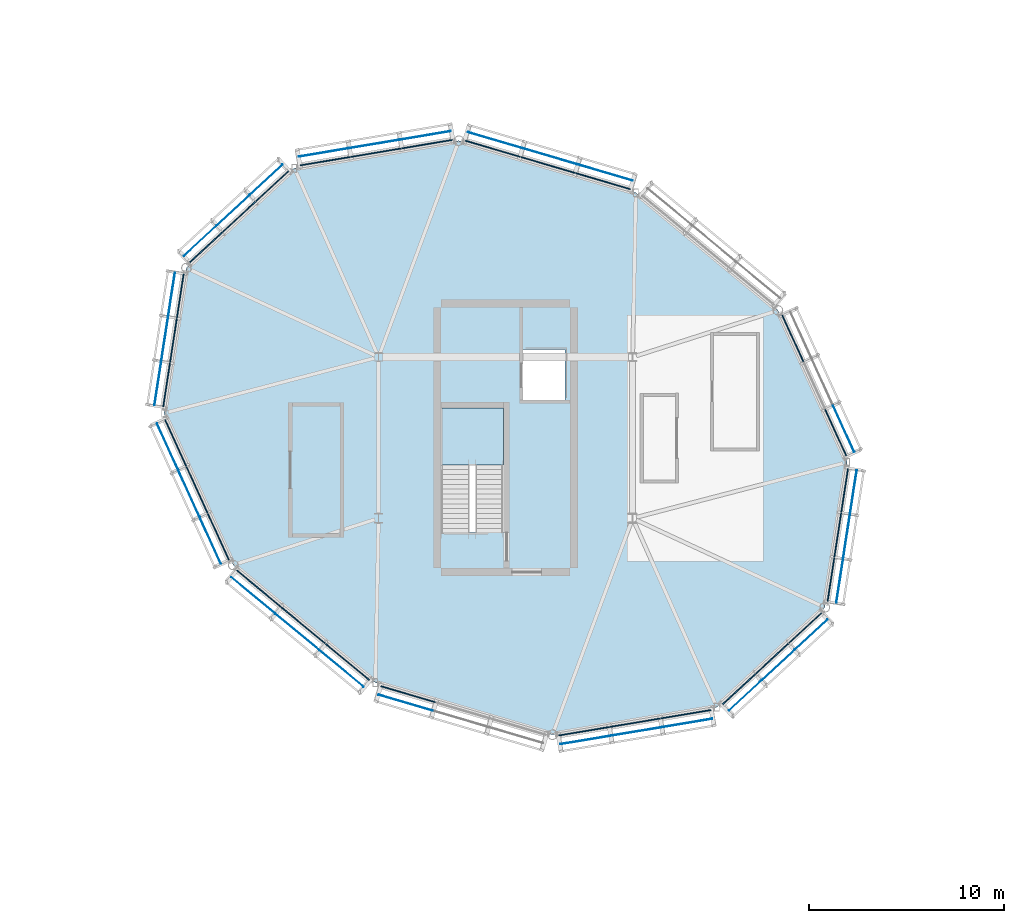
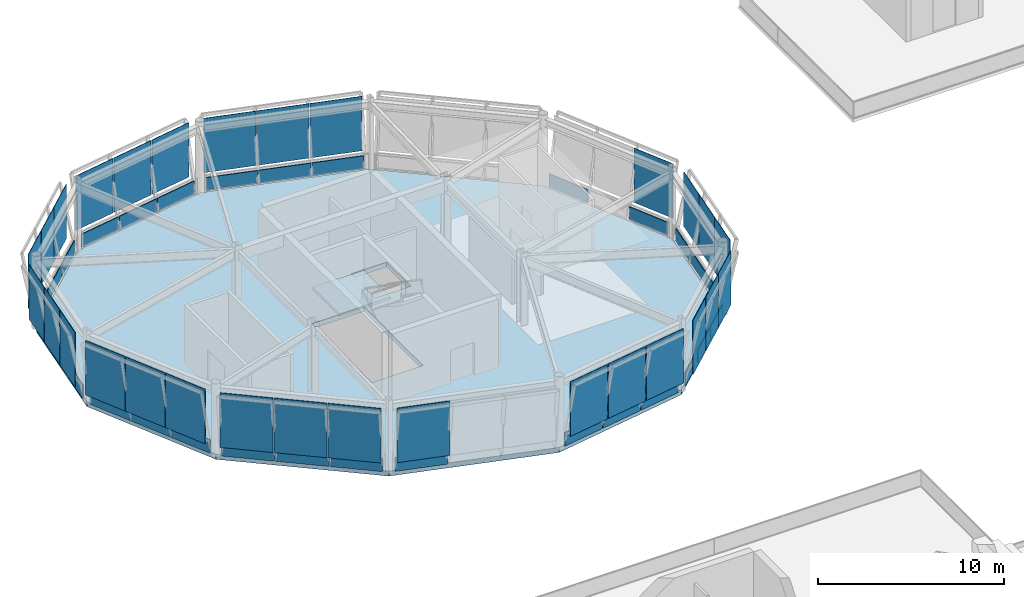
# One storey, part 62 of 94: 59 plates, 2 slabs, 12 elements without a shape of their own.
"""IFC4 building model written with IfcOpenShell, lengths in metres."""

from ifc_helpers import new_model, si_unit, direction, frame, origin, origin_2d, place, context, subcontext, project, spatial, polyline, rectangle, outline, extrude, material, layer, layer_set, type_object, element, aggregate, save


model = new_model("IFC4")

# Units and contexts
model_context = context("Model", 3, precision=1e-05, world=origin(), true_north=direction((0.0, 1.0)))
body_context = subcontext(model_context, "Body", "Model", "MODEL_VIEW")
ifc_project = project(units=[si_unit("LENGTHUNIT", "METRE"), si_unit("AREAUNIT", "SQUARE_METRE"), si_unit("VOLUMEUNIT", "CUBIC_METRE"), si_unit("PLANEANGLEUNIT", "RADIAN"), si_unit("MASSUNIT", "GRAM", prefix="KILO")], contexts=[model_context])

# Site, building, storey
site_placement = place(None, origin())
site = spatial("IfcSite", under=ifc_project, at=site_placement, CompositionType="ELEMENT")
building_placement = place(site_placement, origin())
building = spatial("IfcBuilding", under=site, at=building_placement, Name="Linyun Crest Stadium", CompositionType="ELEMENT")
storey_placement = place(building_placement, frame((0.0, 0.0, 16.199951171875)))
storey = spatial("IfcBuildingStorey", under=building, at=storey_placement, Name="L04", CompositionType="ELEMENT", Elevation=16.199951171875)

# Slab
ifc_material_1 = material(Name="Concrete C40", Category="concrete")
ifc_layer_1 = layer(ifc_material_1, 0.320068359375)
ifc_layer_set_1 = layer_set([ifc_layer_1], Name="Concrete C40")
slab_type_1 = type_object("IfcSlabType", Name="FS06", PredefinedType="FLOOR", material=ifc_layer_set_1)
slab_1_placement = place(storey_placement, frame((0.0, 0.0, -0.320068359375)))
element("IfcSlab", 1, at=slab_1_placement, inside=storey, type_object=slab_type_1, Name="Slab FS06 V5 L04 50", PredefinedType="FLOOR", context=body_context, shape_type="SweptSolid", body=[
    extrude(outline(polyline([(-57.1650390625, 75.93994140625), (-56.02099609375, 83.3720703125), (-59.55908203125, 91.139892578125), (-66.833984375, 97.1630859375), (-75.89404296875, 99.825927734375), (-84.31298828125, 98.416015625), (-89.8349609375, 93.31005859375), (-90.97900390625, 85.8779296875), (-87.44091796875, 78.110107421875), (-80.166015625, 72.0869140625), (-71.10595703125, 69.424072265625), (-62.68701171875, 70.833984375), (-57.1650390625, 75.93994140625)]), holes=[polyline([(-76.800048828125, 79.77001953125), (-76.800048828125, 86.14990234375), (-73.60009765625, 86.14990234375), (-73.60009765625, 79.77001953125), (-76.800048828125, 79.77001953125)]), polyline([(-72.64990234375, 86.550048828125), (-72.64990234375, 89.14990234375), (-70.449951171875, 89.14990234375), (-70.449951171875, 86.550048828125), (-72.64990234375, 86.550048828125)])]), origin(), (0.0, 0.0, 1.0), 0.320068359375),
])

# Curtain wall, plates
ifc_material_2 = material(Name="Verdigris steel and low-E curtain wall assembly", Category="steel")
curtain_wall_type = type_object("IfcCurtainWallType", Name="MCW04", PredefinedType="NOTDEFINED", material=ifc_material_2)
curtain_wall_1_placement = place(storey_placement, origin())
curtain_wall_1 = element("IfcCurtainWall", 2, at=curtain_wall_1_placement, inside=storey, type_object=curtain_wall_type, Name="CWR-001", PredefinedType="NOTDEFINED")
ifc_material_3 = material(Name="Acoustic laminated low-E broadcast glass", Category="glass")
ifc_layer_2 = layer(ifc_material_3, 0.030029296875)
ifc_layer_set_2 = layer_set([ifc_layer_2], Name="Acoustic laminated low-E broadcast glass")
plate_type_1 = type_object("IfcPlateType", Name="GP02", PredefinedType="CURTAIN_PANEL", material=ifc_layer_set_2)
plate_1_placement = place(storey_placement, frame((-56.405029296875, 77.2939453125, 0.888427734375), z_axis=(0.0, 0.0, 1.0), x_axis=(0.152054385169, 0.988372128275, 0.0)))
plate_1 = element("IfcPlate", 3, at=plate_1_placement, type_object=plate_type_1, Name="CWR-001 panel 1.2", PredefinedType="CURTAIN_PANEL", context=body_context, shape_type="SweptSolid", body=[
    extrude(rectangle(XDim=2.256103515625, YDim=0.030029296875, at=origin_2d()), origin(), (0.0, 0.0, 1.0), 3.5830078125),
])
plate_2_placement = place(storey_placement, frame((-56.053955078125, 79.572998046875, 0.888427734375), z_axis=(0.0, 0.0, 1.0), x_axis=(0.152054385169, 0.988372128275, 0.0)))
plate_2 = element("IfcPlate", 4, at=plate_2_placement, type_object=plate_type_1, Name="CWR-001 panel 2.2", PredefinedType="CURTAIN_PANEL", context=body_context, shape_type="SweptSolid", body=[
    extrude(rectangle(XDim=2.256103515625, YDim=0.030029296875, at=origin_2d()), origin(), (0.0, 0.0, 1.0), 3.5830078125),
])
plate_3_placement = place(storey_placement, frame((-55.702880859375, 81.85205078125, 0.888427734375), z_axis=(0.0, 0.0, 1.0), x_axis=(0.152054385169, 0.988372128275, 0.0)))
plate_3 = element("IfcPlate", 5, at=plate_3_placement, type_object=plate_type_1, Name="CWR-001 panel 3.2", PredefinedType="CURTAIN_PANEL", context=body_context, shape_type="SweptSolid", body=[
    extrude(rectangle(XDim=2.256103515625, YDim=0.030029296875, at=origin_2d()), origin(), (0.0, 0.0, 1.0), 3.5830078125),
])

# Curtain wall, plate
curtain_wall_2_placement = place(storey_placement, origin())
curtain_wall_2 = element("IfcCurtainWall", 6, at=curtain_wall_2_placement, inside=storey, type_object=curtain_wall_type, Name="CWR-002", PredefinedType="NOTDEFINED")
plate_4_placement = place(storey_placement, frame((-56.197021484375, 85.074951171875, 0.888427734375), z_axis=(0.0, 0.0, 1.0), x_axis=(-0.414566184052, 0.910019164106, 0.0)))
plate_4 = element("IfcPlate", 7, at=plate_4_placement, type_object=plate_type_1, Name="CWR-002 panel 1.2", PredefinedType="CURTAIN_PANEL", context=body_context, shape_type="SweptSolid", body=[
    extrude(rectangle(XDim=2.595458984375, YDim=0.030029296875, at=origin_2d()), origin(), (0.0, 0.0, 1.0), 3.5830078125),
])

# Curtain wall, plates
curtain_wall_3_placement = place(storey_placement, origin())
curtain_wall_3 = element("IfcCurtainWall", 8, at=curtain_wall_3_placement, inside=storey, type_object=curtain_wall_type, Name="CWR-004", PredefinedType="NOTDEFINED")
plate_5_placement = place(storey_placement, frame((-68.382080078125, 98.18701171875, 0.888427734375), z_axis=(0.0, 0.0, 1.0), x_axis=(-0.959437077917, 0.281922850294, 0.0)))
plate_5 = element("IfcPlate", 9, at=plate_5_placement, type_object=plate_type_1, Name="CWR-004 panel 1.2", PredefinedType="CURTAIN_PANEL", context=body_context, shape_type="SweptSolid", body=[
    extrude(rectangle(XDim=2.897705078125, YDim=0.030029296875, at=origin_2d()), origin(), (0.0, 0.0, 1.0), 3.5830078125),
])
plate_6_placement = place(storey_placement, frame((-71.2099609375, 99.01806640625, 0.888427734375), z_axis=(0.0, 0.0, 1.0), x_axis=(-0.959437077917, 0.281922850294, 0.0)))
plate_6 = element("IfcPlate", 10, at=plate_6_placement, type_object=plate_type_1, Name="CWR-004 panel 2.2", PredefinedType="CURTAIN_PANEL", context=body_context, shape_type="SweptSolid", body=[
    extrude(rectangle(XDim=2.897705078125, YDim=0.030029296875, at=origin_2d()), origin(), (0.0, 0.0, 1.0), 3.5830078125),
])
plate_7_placement = place(storey_placement, frame((-74.0380859375, 99.84912109375, 0.888427734375), z_axis=(0.0, 0.0, 1.0), x_axis=(-0.959437077917, 0.281922850294, 0.0)))
plate_7 = element("IfcPlate", 11, at=plate_7_placement, type_object=plate_type_1, Name="CWR-004 panel 3.2", PredefinedType="CURTAIN_PANEL", context=body_context, shape_type="SweptSolid", body=[
    extrude(rectangle(XDim=2.897705078125, YDim=0.030029296875, at=origin_2d()), origin(), (0.0, 0.0, 1.0), 3.5830078125),
])

curtain_wall_4_placement = place(storey_placement, origin())
curtain_wall_4 = element("IfcCurtainWall", 12, at=curtain_wall_4_placement, inside=storey, type_object=curtain_wall_type, Name="CWR-005", PredefinedType="NOTDEFINED")
plate_8_placement = place(storey_placement, frame((-77.5849609375, 100.094970703125, 0.888427734375), z_axis=(0.0, 0.0, 1.0), x_axis=(-0.986282720763, -0.165064819767, 0.0)))
plate_8 = element("IfcPlate", 13, at=plate_8_placement, type_object=plate_type_1, Name="CWR-005 panel 1.2", PredefinedType="CURTAIN_PANEL", context=body_context, shape_type="SweptSolid", body=[
    extrude(rectangle(XDim=2.59521484375, YDim=0.030029296875, at=origin_2d()), origin(), (0.0, 0.0, 1.0), 3.5830078125),
])
plate_9_placement = place(storey_placement, frame((-80.194091796875, 99.658935546875, 0.888427734375), z_axis=(0.0, 0.0, 1.0), x_axis=(-0.986282720763, -0.165064819767, 0.0)))
plate_9 = element("IfcPlate", 14, at=plate_9_placement, type_object=plate_type_1, Name="CWR-005 panel 2.2", PredefinedType="CURTAIN_PANEL", context=body_context, shape_type="SweptSolid", body=[
    extrude(rectangle(XDim=2.59521484375, YDim=0.030029296875, at=origin_2d()), origin(), (0.0, 0.0, 1.0), 3.5830078125),
])
plate_10_placement = place(storey_placement, frame((-82.802978515625, 99.221923828125, 0.888427734375), z_axis=(0.0, 0.0, 1.0), x_axis=(-0.986282720763, -0.165064819767, 0.0)))
plate_10 = element("IfcPlate", 15, at=plate_10_placement, type_object=plate_type_1, Name="CWR-005 panel 3.2", PredefinedType="CURTAIN_PANEL", context=body_context, shape_type="SweptSolid", body=[
    extrude(rectangle(XDim=2.59521484375, YDim=0.030029296875, at=origin_2d()), origin(), (0.0, 0.0, 1.0), 3.5830078125),
])

curtain_wall_5_placement = place(storey_placement, origin())
curtain_wall_5 = element("IfcCurtainWall", 16, at=curtain_wall_5_placement, inside=storey, type_object=curtain_wall_type, Name="CWR-006", PredefinedType="NOTDEFINED")
plate_11_placement = place(storey_placement, frame((-85.75, 97.8291015625, 0.888427734375), z_axis=(0.0, 0.0, 1.0), x_axis=(-0.734298814372, -0.678826377811, 0.0)))
plate_11 = element("IfcPlate", 17, at=plate_11_placement, type_object=plate_type_1, Name="CWR-006 panel 1.2", PredefinedType="CURTAIN_PANEL", context=body_context, shape_type="SweptSolid", body=[
    extrude(rectangle(XDim=2.2568359375, YDim=0.030029296875, at=origin_2d()), origin(), (0.0, 0.0, 1.0), 3.5830078125),
])
plate_12_placement = place(storey_placement, frame((-87.444091796875, 96.262939453125, 0.888427734375), z_axis=(0.0, 0.0, 1.0), x_axis=(-0.734298814372, -0.678826377811, 0.0)))
plate_12 = element("IfcPlate", 18, at=plate_12_placement, type_object=plate_type_1, Name="CWR-006 panel 2.2", PredefinedType="CURTAIN_PANEL", context=body_context, shape_type="SweptSolid", body=[
    extrude(rectangle(XDim=2.2568359375, YDim=0.030029296875, at=origin_2d()), origin(), (0.0, 0.0, 1.0), 3.5830078125),
])
plate_13_placement = place(storey_placement, frame((-89.137939453125, 94.697021484375, 0.888427734375), z_axis=(0.0, 0.0, 1.0), x_axis=(-0.734298814372, -0.678826377811, 0.0)))
plate_13 = element("IfcPlate", 19, at=plate_13_placement, type_object=plate_type_1, Name="CWR-006 panel 3.2", PredefinedType="CURTAIN_PANEL", context=body_context, shape_type="SweptSolid", body=[
    extrude(rectangle(XDim=2.2568359375, YDim=0.030029296875, at=origin_2d()), origin(), (0.0, 0.0, 1.0), 3.5830078125),
])

curtain_wall_6_placement = place(storey_placement, origin())
curtain_wall_6 = element("IfcCurtainWall", 20, at=curtain_wall_6_placement, inside=storey, type_object=curtain_wall_type, Name="CWR-007", PredefinedType="NOTDEFINED")
plate_14_placement = place(storey_placement, frame((-90.594970703125, 91.9560546875, 0.888427734375), z_axis=(0.0, 0.0, 1.0), x_axis=(-0.152054385169, -0.988372128275, 0.0)))
plate_14 = element("IfcPlate", 21, at=plate_14_placement, type_object=plate_type_1, Name="CWR-007 panel 1.2", PredefinedType="CURTAIN_PANEL", context=body_context, shape_type="SweptSolid", body=[
    extrude(rectangle(XDim=2.256103515625, YDim=0.030029296875, at=origin_2d()), origin(), (0.0, 0.0, 1.0), 3.5830078125),
])
plate_15_placement = place(storey_placement, frame((-90.946044921875, 89.677001953125, 0.888427734375), z_axis=(0.0, 0.0, 1.0), x_axis=(-0.152054385169, -0.988372128275, 0.0)))
plate_15 = element("IfcPlate", 22, at=plate_15_placement, type_object=plate_type_1, Name="CWR-007 panel 2.2", PredefinedType="CURTAIN_PANEL", context=body_context, shape_type="SweptSolid", body=[
    extrude(rectangle(XDim=2.256103515625, YDim=0.030029296875, at=origin_2d()), origin(), (0.0, 0.0, 1.0), 3.5830078125),
])
plate_16_placement = place(storey_placement, frame((-91.297119140625, 87.39794921875, 0.888427734375), z_axis=(0.0, 0.0, 1.0), x_axis=(-0.152054385169, -0.988372128275, 0.0)))
plate_16 = element("IfcPlate", 23, at=plate_16_placement, type_object=plate_type_1, Name="CWR-007 panel 3.2", PredefinedType="CURTAIN_PANEL", context=body_context, shape_type="SweptSolid", body=[
    extrude(rectangle(XDim=2.256103515625, YDim=0.030029296875, at=origin_2d()), origin(), (0.0, 0.0, 1.0), 3.5830078125),
])

curtain_wall_7_placement = place(storey_placement, origin())
curtain_wall_7 = element("IfcCurtainWall", 24, at=curtain_wall_7_placement, inside=storey, type_object=curtain_wall_type, Name="CWR-008", PredefinedType="NOTDEFINED")
plate_17_placement = place(storey_placement, frame((-90.802978515625, 84.175048828125, 0.888427734375), z_axis=(0.0, 0.0, 1.0), x_axis=(0.414566184052, -0.910019164106, 0.0)))
plate_17 = element("IfcPlate", 25, at=plate_17_placement, type_object=plate_type_1, Name="CWR-008 panel 1.2", PredefinedType="CURTAIN_PANEL", context=body_context, shape_type="SweptSolid", body=[
    extrude(rectangle(XDim=2.595458984375, YDim=0.030029296875, at=origin_2d()), origin(), (0.0, 0.0, 1.0), 3.5830078125),
])
plate_18_placement = place(storey_placement, frame((-89.7060546875, 81.76806640625, 0.888427734375), z_axis=(0.0, 0.0, 1.0), x_axis=(0.414566184052, -0.910019164106, 0.0)))
plate_18 = element("IfcPlate", 26, at=plate_18_placement, type_object=plate_type_1, Name="CWR-008 panel 2.2", PredefinedType="CURTAIN_PANEL", context=body_context, shape_type="SweptSolid", body=[
    extrude(rectangle(XDim=2.595458984375, YDim=0.030029296875, at=origin_2d()), origin(), (0.0, 0.0, 1.0), 3.5830078125),
])
plate_19_placement = place(storey_placement, frame((-88.610107421875, 79.361083984375, 0.888427734375), z_axis=(0.0, 0.0, 1.0), x_axis=(0.414566184052, -0.910019164106, 0.0)))
plate_19 = element("IfcPlate", 27, at=plate_19_placement, type_object=plate_type_1, Name="CWR-008 panel 3.2", PredefinedType="CURTAIN_PANEL", context=body_context, shape_type="SweptSolid", body=[
    extrude(rectangle(XDim=2.595458984375, YDim=0.030029296875, at=origin_2d()), origin(), (0.0, 0.0, 1.0), 3.5830078125),
])

curtain_wall_8_placement = place(storey_placement, origin())
curtain_wall_8 = element("IfcCurtainWall", 28, at=curtain_wall_8_placement, inside=storey, type_object=curtain_wall_type, Name="CWR-009", PredefinedType="NOTDEFINED")
plate_20_placement = place(storey_placement, frame((-86.422119140625, 76.55908203125, 0.888427734375), z_axis=(0.0, 0.0, 1.0), x_axis=(0.77024617165, -0.637746685651, 0.0)))
plate_20 = element("IfcPlate", 29, at=plate_20_placement, type_object=plate_type_1, Name="CWR-009 panel 1.2", PredefinedType="CURTAIN_PANEL", context=body_context, shape_type="SweptSolid", body=[
    extrude(rectangle(XDim=2.8984375, YDim=0.030029296875, at=origin_2d()), origin(), (0.0, 0.0, 1.0), 3.5830078125),
])
plate_21_placement = place(storey_placement, frame((-84.15087890625, 74.678955078125, 0.888427734375), z_axis=(0.0, 0.0, 1.0), x_axis=(0.77024617165, -0.637746685651, 0.0)))
plate_21 = element("IfcPlate", 30, at=plate_21_placement, type_object=plate_type_1, Name="CWR-009 panel 2.2", PredefinedType="CURTAIN_PANEL", context=body_context, shape_type="SweptSolid", body=[
    extrude(rectangle(XDim=2.8984375, YDim=0.030029296875, at=origin_2d()), origin(), (0.0, 0.0, 1.0), 3.5830078125),
])
plate_22_placement = place(storey_placement, frame((-81.8798828125, 72.798095703125, 0.888427734375), z_axis=(0.0, 0.0, 1.0), x_axis=(0.77024617165, -0.637746685651, 0.0)))
plate_22 = element("IfcPlate", 31, at=plate_22_placement, type_object=plate_type_1, Name="CWR-009 panel 3.2", PredefinedType="CURTAIN_PANEL", context=body_context, shape_type="SweptSolid", body=[
    extrude(rectangle(XDim=2.8984375, YDim=0.030029296875, at=origin_2d()), origin(), (0.0, 0.0, 1.0), 3.5830078125),
])

# Curtain wall, plate
curtain_wall_9_placement = place(storey_placement, origin())
curtain_wall_9 = element("IfcCurtainWall", 32, at=curtain_wall_9_placement, inside=storey, type_object=curtain_wall_type, Name="CWR-010", PredefinedType="NOTDEFINED")
plate_23_placement = place(storey_placement, frame((-78.617919921875, 71.06298828125, 0.888427734375), z_axis=(0.0, 0.0, 1.0), x_axis=(0.959437077917, -0.281922850294, 0.0)))
plate_23 = element("IfcPlate", 33, at=plate_23_placement, type_object=plate_type_1, Name="CWR-010 panel 1.2", PredefinedType="CURTAIN_PANEL", context=body_context, shape_type="SweptSolid", body=[
    extrude(rectangle(XDim=2.897705078125, YDim=0.030029296875, at=origin_2d()), origin(), (0.0, 0.0, 1.0), 3.5830078125),
])

# Curtain wall, plates
curtain_wall_10_placement = place(storey_placement, origin())
curtain_wall_10 = element("IfcCurtainWall", 34, at=curtain_wall_10_placement, inside=storey, type_object=curtain_wall_type, Name="CWR-011", PredefinedType="NOTDEFINED")
plate_24_placement = place(storey_placement, frame((-69.4150390625, 69.155029296875, 0.888427734375), z_axis=(0.0, 0.0, 1.0), x_axis=(0.986282720763, 0.165064819767, 0.0)))
plate_24 = element("IfcPlate", 35, at=plate_24_placement, type_object=plate_type_1, Name="CWR-011 panel 1.2", PredefinedType="CURTAIN_PANEL", context=body_context, shape_type="SweptSolid", body=[
    extrude(rectangle(XDim=2.59521484375, YDim=0.030029296875, at=origin_2d()), origin(), (0.0, 0.0, 1.0), 3.5830078125),
])
plate_25_placement = place(storey_placement, frame((-66.805908203125, 69.591064453125, 0.888427734375), z_axis=(0.0, 0.0, 1.0), x_axis=(0.986282720763, 0.165064819767, 0.0)))
plate_25 = element("IfcPlate", 36, at=plate_25_placement, type_object=plate_type_1, Name="CWR-011 panel 2.2", PredefinedType="CURTAIN_PANEL", context=body_context, shape_type="SweptSolid", body=[
    extrude(rectangle(XDim=2.59521484375, YDim=0.030029296875, at=origin_2d()), origin(), (0.0, 0.0, 1.0), 3.5830078125),
])
plate_26_placement = place(storey_placement, frame((-64.197021484375, 70.028076171875, 0.888427734375), z_axis=(0.0, 0.0, 1.0), x_axis=(0.986282720763, 0.165064819767, 0.0)))
plate_26 = element("IfcPlate", 37, at=plate_26_placement, type_object=plate_type_1, Name="CWR-011 panel 3.2", PredefinedType="CURTAIN_PANEL", context=body_context, shape_type="SweptSolid", body=[
    extrude(rectangle(XDim=2.59521484375, YDim=0.030029296875, at=origin_2d()), origin(), (0.0, 0.0, 1.0), 3.5830078125),
])

curtain_wall_11_placement = place(storey_placement, origin())
curtain_wall_11 = element("IfcCurtainWall", 38, at=curtain_wall_11_placement, inside=storey, type_object=curtain_wall_type, Name="CWR-012", PredefinedType="NOTDEFINED")
plate_27_placement = place(storey_placement, frame((-61.25, 71.4208984375, 0.888427734375), z_axis=(0.0, 0.0, 1.0), x_axis=(0.734298814372, 0.678826377811, 0.0)))
plate_27 = element("IfcPlate", 39, at=plate_27_placement, type_object=plate_type_1, Name="CWR-012 panel 1.2", PredefinedType="CURTAIN_PANEL", context=body_context, shape_type="SweptSolid", body=[
    extrude(rectangle(XDim=2.2568359375, YDim=0.030029296875, at=origin_2d()), origin(), (0.0, 0.0, 1.0), 3.5830078125),
])
plate_28_placement = place(storey_placement, frame((-59.555908203125, 72.987060546875, 0.888427734375), z_axis=(0.0, 0.0, 1.0), x_axis=(0.734298814372, 0.678826377811, 0.0)))
plate_28 = element("IfcPlate", 40, at=plate_28_placement, type_object=plate_type_1, Name="CWR-012 panel 2.2", PredefinedType="CURTAIN_PANEL", context=body_context, shape_type="SweptSolid", body=[
    extrude(rectangle(XDim=2.2568359375, YDim=0.030029296875, at=origin_2d()), origin(), (0.0, 0.0, 1.0), 3.5830078125),
])
plate_29_placement = place(storey_placement, frame((-57.862060546875, 74.552978515625, 0.888427734375), z_axis=(0.0, 0.0, 1.0), x_axis=(0.734298814372, 0.678826377811, 0.0)))
plate_29 = element("IfcPlate", 41, at=plate_29_placement, type_object=plate_type_1, Name="CWR-012 panel 3.2", PredefinedType="CURTAIN_PANEL", context=body_context, shape_type="SweptSolid", body=[
    extrude(rectangle(XDim=2.2568359375, YDim=0.030029296875, at=origin_2d()), origin(), (0.0, 0.0, 1.0), 3.5830078125),
])

# Stair, slab
ifc_material_4 = material(Name="Concrete C40", Category="concrete")
stair_type = type_object("IfcStairType", Name="STA03", PredefinedType="HALF_TURN_STAIR", material=ifc_material_4)
stair_placement = place(storey_placement, origin())
stair = element("IfcStair", 42, at=stair_placement, inside=storey, type_object=stair_type, Name="Evacuation stair STR-11-L04", PredefinedType="HALF_TURN_STAIR")
ifc_material_5 = material(Name="Concrete C40", Category="concrete")
ifc_layer_3 = layer(ifc_material_5, 0.179931640625)
ifc_layer_set_3 = layer_set([ifc_layer_3], Name="Concrete C40")
slab_type_2 = type_object("IfcSlabType", Name="LS01", PredefinedType="LANDING", material=ifc_layer_set_3)
slab_2_placement = place(storey_placement, frame((0.0, 0.0, 2.219970703125)))
slab_2 = element("IfcSlab", 43, at=slab_2_placement, type_object=slab_type_2, Name="STR-11-L04 half-landing", PredefinedType="LANDING", context=body_context, shape_type="SweptSolid", body=[
    extrude(outline(polyline([(-76.800048828125, 83.239990234375), (-73.60009765625, 83.239990234375), (-73.60009765625, 86.14990234375), (-76.800048828125, 86.14990234375), (-76.800048828125, 83.239990234375)])), origin(), (0.0, 0.0, 1.0), 0.18017578125),
])
aggregate(stair, [slab_2])

# Plate
ifc_material_6 = material(Name="Verdigris enamelled metal insulated spandrel")
ifc_layer_4 = layer(ifc_material_6, 0.053955078125)
ifc_layer_set_4 = layer_set([ifc_layer_4], Name="Verdigris enamelled metal insulated spandrel")
plate_type_2 = type_object("IfcPlateType", Name="SP03", PredefinedType="SHEET", material=ifc_layer_set_4)
plate_30_placement = place(storey_placement, frame((-56.85302734375, 77.363037109375, 0.015625), z_axis=(0.0, 0.0, 1.0), x_axis=(0.152054385169, 0.988372128275, 0.0)))
plate_30 = element("IfcPlate", 44, at=plate_30_placement, type_object=plate_type_2, Name="CWR-001 panel 1.1", PredefinedType="SHEET", context=body_context, shape_type="SweptSolid", body=[
    extrude(rectangle(XDim=2.256103515625, YDim=0.053955078125, at=origin_2d()), origin(), (0.0, 0.0, 1.0), 0.868408203125),
])

plate_31_placement = place(storey_placement, frame((-56.5029296875, 79.64208984375, 0.015625), z_axis=(0.0, 0.0, 1.0), x_axis=(0.152054385169, 0.988372128275, 0.0)))
plate_31 = element("IfcPlate", 45, at=plate_31_placement, type_object=plate_type_2, Name="CWR-001 panel 2.1", PredefinedType="SHEET", context=body_context, shape_type="SweptSolid", body=[
    extrude(rectangle(XDim=2.256103515625, YDim=0.053955078125, at=origin_2d()), origin(), (0.0, 0.0, 1.0), 0.868408203125),
])

plate_32_placement = place(storey_placement, frame((-56.152099609375, 81.9208984375, 0.015625), z_axis=(0.0, 0.0, 1.0), x_axis=(0.152054385169, 0.988372128275, 0.0)))
plate_32 = element("IfcPlate", 46, at=plate_32_placement, type_object=plate_type_2, Name="CWR-001 panel 3.1", PredefinedType="SHEET", context=body_context, shape_type="SweptSolid", body=[
    extrude(rectangle(XDim=2.256103515625, YDim=0.053955078125, at=origin_2d()), origin(), (0.0, 0.0, 1.0), 0.868408203125),
])

aggregate(curtain_wall_1, [plate_30, plate_1, plate_31, plate_2, plate_32, plate_3])

plate_33_placement = place(storey_placement, frame((-56.610107421875, 84.886962890625, 0.015625), z_axis=(0.0, 0.0, 1.0), x_axis=(-0.414566184052, 0.910019164106, 0.0)))
plate_33 = element("IfcPlate", 47, at=plate_33_placement, type_object=plate_type_2, Name="CWR-002 panel 1.1", PredefinedType="SHEET", context=body_context, shape_type="SweptSolid", body=[
    extrude(rectangle(XDim=2.595458984375, YDim=0.053955078125, at=origin_2d()), origin(), (0.0, 0.0, 1.0), 0.868408203125),
])

plate_34_placement = place(storey_placement, frame((-58.802978515625, 89.700927734375, 0.015625), z_axis=(0.0, 0.0, 1.0), x_axis=(-0.414566184052, 0.910019164106, 0.0)))
plate_34 = element("IfcPlate", 48, at=plate_34_placement, type_object=plate_type_2, Name="CWR-002 panel 3.1", PredefinedType="SHEET", context=body_context, shape_type="SweptSolid", body=[
    extrude(rectangle(XDim=2.595458984375, YDim=0.053955078125, at=origin_2d()), origin(), (0.0, 0.0, 1.0), 0.868408203125),
])

aggregate(curtain_wall_2, [plate_33, plate_4, plate_34])

plate_35_placement = place(storey_placement, frame((-68.510009765625, 97.7509765625, 0.015625), z_axis=(0.0, 0.0, 1.0), x_axis=(-0.959437077917, 0.281922850294, 0.0)))
plate_35 = element("IfcPlate", 49, at=plate_35_placement, type_object=plate_type_2, Name="CWR-004 panel 1.1", PredefinedType="SHEET", context=body_context, shape_type="SweptSolid", body=[
    extrude(rectangle(XDim=2.897705078125, YDim=0.053955078125, at=origin_2d()), origin(), (0.0, 0.0, 1.0), 0.868408203125),
])

plate_36_placement = place(storey_placement, frame((-71.337890625, 98.58203125, 0.015625), z_axis=(0.0, 0.0, 1.0), x_axis=(-0.959437077917, 0.281922850294, 0.0)))
plate_36 = element("IfcPlate", 50, at=plate_36_placement, type_object=plate_type_2, Name="CWR-004 panel 2.1", PredefinedType="SHEET", context=body_context, shape_type="SweptSolid", body=[
    extrude(rectangle(XDim=2.897705078125, YDim=0.053955078125, at=origin_2d()), origin(), (0.0, 0.0, 1.0), 0.868408203125),
])

plate_37_placement = place(storey_placement, frame((-74.166015625, 99.4130859375, 0.015625), z_axis=(0.0, 0.0, 1.0), x_axis=(-0.959437077917, 0.281922850294, 0.0)))
plate_37 = element("IfcPlate", 51, at=plate_37_placement, type_object=plate_type_2, Name="CWR-004 panel 3.1", PredefinedType="SHEET", context=body_context, shape_type="SweptSolid", body=[
    extrude(rectangle(XDim=2.897705078125, YDim=0.053955078125, at=origin_2d()), origin(), (0.0, 0.0, 1.0), 0.868408203125),
])

aggregate(curtain_wall_3, [plate_35, plate_5, plate_36, plate_6, plate_37, plate_7])

plate_38_placement = place(storey_placement, frame((-77.510009765625, 99.64794921875, 0.015625), z_axis=(0.0, 0.0, 1.0), x_axis=(-0.986282720763, -0.165064819767, 0.0)))
plate_38 = element("IfcPlate", 52, at=plate_38_placement, type_object=plate_type_2, Name="CWR-005 panel 1.1", PredefinedType="SHEET", context=body_context, shape_type="SweptSolid", body=[
    extrude(rectangle(XDim=2.59521484375, YDim=0.053955078125, at=origin_2d()), origin(), (0.0, 0.0, 1.0), 0.868408203125),
])

plate_39_placement = place(storey_placement, frame((-80.118896484375, 99.2109375, 0.015625), z_axis=(0.0, 0.0, 1.0), x_axis=(-0.986282720763, -0.165064819767, 0.0)))
plate_39 = element("IfcPlate", 53, at=plate_39_placement, type_object=plate_type_2, Name="CWR-005 panel 2.1", PredefinedType="SHEET", context=body_context, shape_type="SweptSolid", body=[
    extrude(rectangle(XDim=2.59521484375, YDim=0.053955078125, at=origin_2d()), origin(), (0.0, 0.0, 1.0), 0.868408203125),
])

plate_40_placement = place(storey_placement, frame((-82.72802734375, 98.77490234375, 0.015625), z_axis=(0.0, 0.0, 1.0), x_axis=(-0.986282720763, -0.165064819767, 0.0)))
plate_40 = element("IfcPlate", 54, at=plate_40_placement, type_object=plate_type_2, Name="CWR-005 panel 3.1", PredefinedType="SHEET", context=body_context, shape_type="SweptSolid", body=[
    extrude(rectangle(XDim=2.59521484375, YDim=0.053955078125, at=origin_2d()), origin(), (0.0, 0.0, 1.0), 0.868408203125),
])

aggregate(curtain_wall_4, [plate_38, plate_8, plate_39, plate_9, plate_40, plate_10])

plate_41_placement = place(storey_placement, frame((-85.44189453125, 97.49609375, 0.015625), z_axis=(0.0, 0.0, 1.0), x_axis=(-0.734298814372, -0.678826377811, 0.0)))
plate_41 = element("IfcPlate", 55, at=plate_41_placement, type_object=plate_type_2, Name="CWR-006 panel 1.1", PredefinedType="SHEET", context=body_context, shape_type="SweptSolid", body=[
    extrude(rectangle(XDim=2.2568359375, YDim=0.053955078125, at=origin_2d()), origin(), (0.0, 0.0, 1.0), 0.868408203125),
])

plate_42_placement = place(storey_placement, frame((-87.135986328125, 95.929931640625, 0.015625), z_axis=(0.0, 0.0, 1.0), x_axis=(-0.734298814372, -0.678826377811, 0.0)))
plate_42 = element("IfcPlate", 56, at=plate_42_placement, type_object=plate_type_2, Name="CWR-006 panel 2.1", PredefinedType="SHEET", context=body_context, shape_type="SweptSolid", body=[
    extrude(rectangle(XDim=2.2568359375, YDim=0.053955078125, at=origin_2d()), origin(), (0.0, 0.0, 1.0), 0.868408203125),
])

plate_43_placement = place(storey_placement, frame((-88.830078125, 94.364013671875, 0.015625), z_axis=(0.0, 0.0, 1.0), x_axis=(-0.734298814372, -0.678826377811, 0.0)))
plate_43 = element("IfcPlate", 57, at=plate_43_placement, type_object=plate_type_2, Name="CWR-006 panel 3.1", PredefinedType="SHEET", context=body_context, shape_type="SweptSolid", body=[
    extrude(rectangle(XDim=2.2568359375, YDim=0.053955078125, at=origin_2d()), origin(), (0.0, 0.0, 1.0), 0.868408203125),
])

aggregate(curtain_wall_5, [plate_41, plate_11, plate_42, plate_12, plate_43, plate_13])

plate_44_placement = place(storey_placement, frame((-90.14697265625, 91.886962890625, 0.015625), z_axis=(0.0, 0.0, 1.0), x_axis=(-0.152054385169, -0.988372128275, 0.0)))
plate_44 = element("IfcPlate", 58, at=plate_44_placement, type_object=plate_type_2, Name="CWR-007 panel 1.1", PredefinedType="SHEET", context=body_context, shape_type="SweptSolid", body=[
    extrude(rectangle(XDim=2.256103515625, YDim=0.053955078125, at=origin_2d()), origin(), (0.0, 0.0, 1.0), 0.868408203125),
])

plate_45_placement = place(storey_placement, frame((-90.4970703125, 89.60791015625, 0.015625), z_axis=(0.0, 0.0, 1.0), x_axis=(-0.152054385169, -0.988372128275, 0.0)))
plate_45 = element("IfcPlate", 59, at=plate_45_placement, type_object=plate_type_2, Name="CWR-007 panel 2.1", PredefinedType="SHEET", context=body_context, shape_type="SweptSolid", body=[
    extrude(rectangle(XDim=2.256103515625, YDim=0.053955078125, at=origin_2d()), origin(), (0.0, 0.0, 1.0), 0.868408203125),
])

plate_46_placement = place(storey_placement, frame((-90.847900390625, 87.3291015625, 0.015625), z_axis=(0.0, 0.0, 1.0), x_axis=(-0.152054385169, -0.988372128275, 0.0)))
plate_46 = element("IfcPlate", 60, at=plate_46_placement, type_object=plate_type_2, Name="CWR-007 panel 3.1", PredefinedType="SHEET", context=body_context, shape_type="SweptSolid", body=[
    extrude(rectangle(XDim=2.256103515625, YDim=0.053955078125, at=origin_2d()), origin(), (0.0, 0.0, 1.0), 0.868408203125),
])

aggregate(curtain_wall_6, [plate_44, plate_14, plate_45, plate_15, plate_46, plate_16])

plate_47_placement = place(storey_placement, frame((-90.389892578125, 84.363037109375, 0.015625), z_axis=(0.0, 0.0, 1.0), x_axis=(0.414566184052, -0.910019164106, 0.0)))
plate_47 = element("IfcPlate", 61, at=plate_47_placement, type_object=plate_type_2, Name="CWR-008 panel 1.1", PredefinedType="SHEET", context=body_context, shape_type="SweptSolid", body=[
    extrude(rectangle(XDim=2.595458984375, YDim=0.053955078125, at=origin_2d()), origin(), (0.0, 0.0, 1.0), 0.868408203125),
])

plate_48_placement = place(storey_placement, frame((-89.29296875, 81.9560546875, 0.015625), z_axis=(0.0, 0.0, 1.0), x_axis=(0.414566184052, -0.910019164106, 0.0)))
plate_48 = element("IfcPlate", 62, at=plate_48_placement, type_object=plate_type_2, Name="CWR-008 panel 2.1", PredefinedType="SHEET", context=body_context, shape_type="SweptSolid", body=[
    extrude(rectangle(XDim=2.595458984375, YDim=0.053955078125, at=origin_2d()), origin(), (0.0, 0.0, 1.0), 0.868408203125),
])

plate_49_placement = place(storey_placement, frame((-88.197021484375, 79.549072265625, 0.015625), z_axis=(0.0, 0.0, 1.0), x_axis=(0.414566184052, -0.910019164106, 0.0)))
plate_49 = element("IfcPlate", 63, at=plate_49_placement, type_object=plate_type_2, Name="CWR-008 panel 3.1", PredefinedType="SHEET", context=body_context, shape_type="SweptSolid", body=[
    extrude(rectangle(XDim=2.595458984375, YDim=0.053955078125, at=origin_2d()), origin(), (0.0, 0.0, 1.0), 0.868408203125),
])

aggregate(curtain_wall_7, [plate_47, plate_17, plate_48, plate_18, plate_49, plate_19])

plate_50_placement = place(storey_placement, frame((-86.133056640625, 76.907958984375, 0.015625), z_axis=(0.0, 0.0, 1.0), x_axis=(0.77024617165, -0.637746685651, 0.0)))
plate_50 = element("IfcPlate", 64, at=plate_50_placement, type_object=plate_type_2, Name="CWR-009 panel 1.1", PredefinedType="SHEET", context=body_context, shape_type="SweptSolid", body=[
    extrude(rectangle(XDim=2.8984375, YDim=0.053955078125, at=origin_2d()), origin(), (0.0, 0.0, 1.0), 0.868408203125),
])

plate_51_placement = place(storey_placement, frame((-83.862060546875, 75.028076171875, 0.015625), z_axis=(0.0, 0.0, 1.0), x_axis=(0.77024617165, -0.637746685651, 0.0)))
plate_51 = element("IfcPlate", 65, at=plate_51_placement, type_object=plate_type_2, Name="CWR-009 panel 2.1", PredefinedType="SHEET", context=body_context, shape_type="SweptSolid", body=[
    extrude(rectangle(XDim=2.8984375, YDim=0.053955078125, at=origin_2d()), origin(), (0.0, 0.0, 1.0), 0.868408203125),
])

plate_52_placement = place(storey_placement, frame((-81.591064453125, 73.14794921875, 0.015625), z_axis=(0.0, 0.0, 1.0), x_axis=(0.77024617165, -0.637746685651, 0.0)))
plate_52 = element("IfcPlate", 66, at=plate_52_placement, type_object=plate_type_2, Name="CWR-009 panel 3.1", PredefinedType="SHEET", context=body_context, shape_type="SweptSolid", body=[
    extrude(rectangle(XDim=2.8984375, YDim=0.053955078125, at=origin_2d()), origin(), (0.0, 0.0, 1.0), 0.868408203125),
])

aggregate(curtain_wall_8, [plate_50, plate_20, plate_51, plate_21, plate_52, plate_22])

plate_53_placement = place(storey_placement, frame((-78.489990234375, 71.4990234375, 0.015625), z_axis=(0.0, 0.0, 1.0), x_axis=(0.959437077917, -0.281922850294, 0.0)))
plate_53 = element("IfcPlate", 67, at=plate_53_placement, type_object=plate_type_2, Name="CWR-010 panel 1.1", PredefinedType="SHEET", context=body_context, shape_type="SweptSolid", body=[
    extrude(rectangle(XDim=2.897705078125, YDim=0.053955078125, at=origin_2d()), origin(), (0.0, 0.0, 1.0), 0.868408203125),
])

aggregate(curtain_wall_9, [plate_53, plate_23])

plate_54_placement = place(storey_placement, frame((-69.489990234375, 69.60205078125, 0.015625), z_axis=(0.0, 0.0, 1.0), x_axis=(0.986282720763, 0.165064819767, 0.0)))
plate_54 = element("IfcPlate", 68, at=plate_54_placement, type_object=plate_type_2, Name="CWR-011 panel 1.1", PredefinedType="SHEET", context=body_context, shape_type="SweptSolid", body=[
    extrude(rectangle(XDim=2.59521484375, YDim=0.053955078125, at=origin_2d()), origin(), (0.0, 0.0, 1.0), 0.868408203125),
])

plate_55_placement = place(storey_placement, frame((-66.881103515625, 70.0390625, 0.015625), z_axis=(0.0, 0.0, 1.0), x_axis=(0.986282720763, 0.165064819767, 0.0)))
plate_55 = element("IfcPlate", 69, at=plate_55_placement, type_object=plate_type_2, Name="CWR-011 panel 2.1", PredefinedType="SHEET", context=body_context, shape_type="SweptSolid", body=[
    extrude(rectangle(XDim=2.59521484375, YDim=0.053955078125, at=origin_2d()), origin(), (0.0, 0.0, 1.0), 0.868408203125),
])

plate_56_placement = place(storey_placement, frame((-64.27197265625, 70.47509765625, 0.015625), z_axis=(0.0, 0.0, 1.0), x_axis=(0.986282720763, 0.165064819767, 0.0)))
plate_56 = element("IfcPlate", 70, at=plate_56_placement, type_object=plate_type_2, Name="CWR-011 panel 3.1", PredefinedType="SHEET", context=body_context, shape_type="SweptSolid", body=[
    extrude(rectangle(XDim=2.59521484375, YDim=0.053955078125, at=origin_2d()), origin(), (0.0, 0.0, 1.0), 0.868408203125),
])

aggregate(curtain_wall_10, [plate_54, plate_24, plate_55, plate_25, plate_56, plate_26])

plate_57_placement = place(storey_placement, frame((-61.55810546875, 71.75390625, 0.015625), z_axis=(0.0, 0.0, 1.0), x_axis=(0.734298814372, 0.678826377811, 0.0)))
plate_57 = element("IfcPlate", 71, at=plate_57_placement, type_object=plate_type_2, Name="CWR-012 panel 1.1", PredefinedType="SHEET", context=body_context, shape_type="SweptSolid", body=[
    extrude(rectangle(XDim=2.2568359375, YDim=0.053955078125, at=origin_2d()), origin(), (0.0, 0.0, 1.0), 0.868408203125),
])

plate_58_placement = place(storey_placement, frame((-59.864013671875, 73.320068359375, 0.015625), z_axis=(0.0, 0.0, 1.0), x_axis=(0.734298814372, 0.678826377811, 0.0)))
plate_58 = element("IfcPlate", 72, at=plate_58_placement, type_object=plate_type_2, Name="CWR-012 panel 2.1", PredefinedType="SHEET", context=body_context, shape_type="SweptSolid", body=[
    extrude(rectangle(XDim=2.2568359375, YDim=0.053955078125, at=origin_2d()), origin(), (0.0, 0.0, 1.0), 0.868408203125),
])

plate_59_placement = place(storey_placement, frame((-58.169921875, 74.885986328125, 0.015625), z_axis=(0.0, 0.0, 1.0), x_axis=(0.734298814372, 0.678826377811, 0.0)))
plate_59 = element("IfcPlate", 73, at=plate_59_placement, type_object=plate_type_2, Name="CWR-012 panel 3.1", PredefinedType="SHEET", context=body_context, shape_type="SweptSolid", body=[
    extrude(rectangle(XDim=2.2568359375, YDim=0.053955078125, at=origin_2d()), origin(), (0.0, 0.0, 1.0), 0.868408203125),
])

aggregate(curtain_wall_11, [plate_57, plate_27, plate_58, plate_28, plate_59, plate_29])

save(model, "model.ifc")
